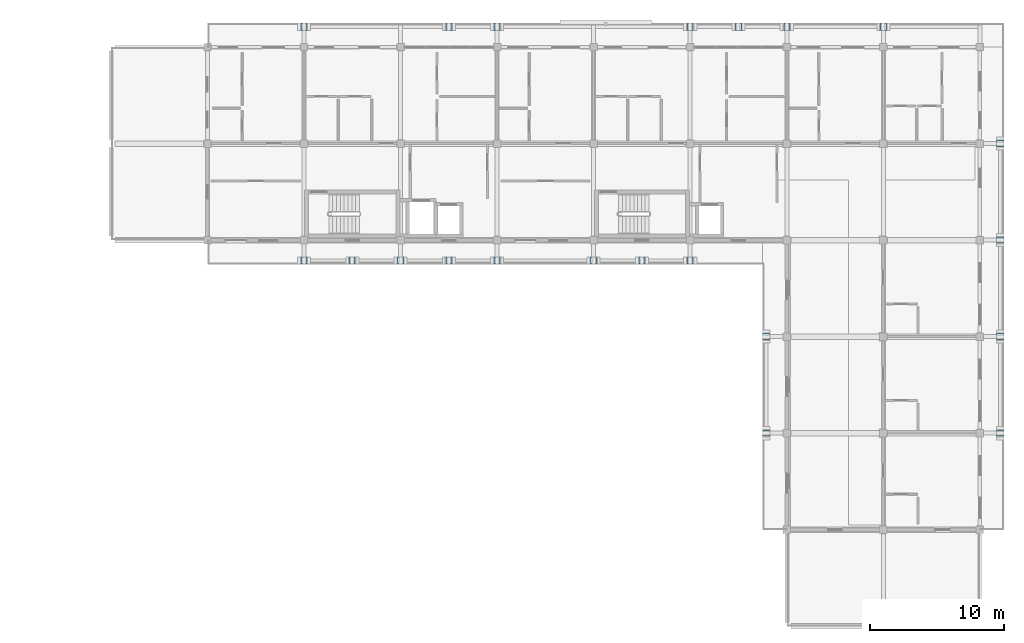
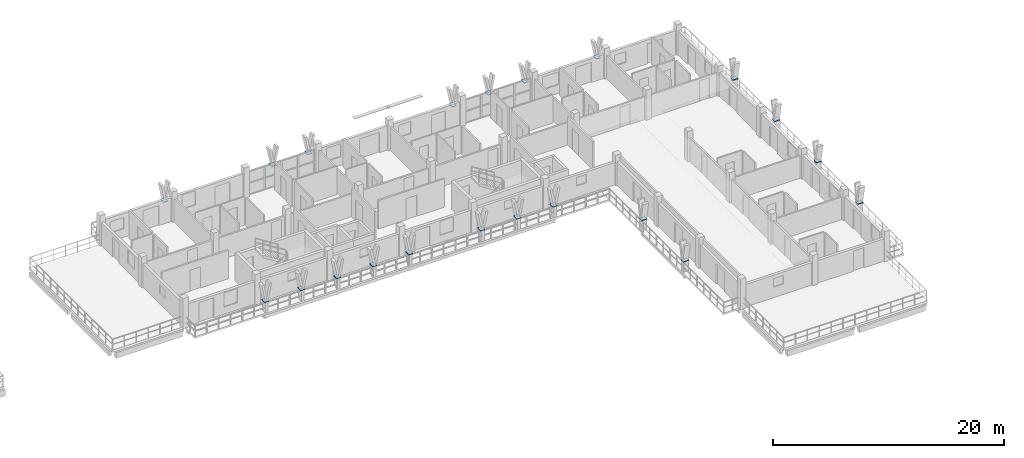
# One storey, part 33 of 73: 21 plates.
"""IFC4 building model written with IfcOpenShell, lengths in metres."""

from ifc_helpers import new_model, si_unit, direction, frame, origin, origin_2d, place, context, subcontext, project, spatial, rectangle, extrude, material, layer, layer_set, type_object, element, save


model = new_model("IFC4")

# Units and contexts
model_context = context("Model", 3, precision=1e-05, world=origin(), true_north=direction((0.0, 1.0)))
body_context = subcontext(model_context, "Body", "Model", "MODEL_VIEW")
ifc_project = project(units=[si_unit("LENGTHUNIT", "METRE"), si_unit("AREAUNIT", "SQUARE_METRE"), si_unit("VOLUMEUNIT", "CUBIC_METRE"), si_unit("PLANEANGLEUNIT", "RADIAN"), si_unit("MASSUNIT", "GRAM", prefix="KILO")], contexts=[model_context])

# Site, building, storey
site_placement = place(None, origin())
site = spatial("IfcSite", under=ifc_project, at=site_placement, CompositionType="ELEMENT")
building_placement = place(site_placement, origin())
building = spatial("IfcBuilding", under=site, at=building_placement, Name="Suanplinth Sawtooth Commons", CompositionType="ELEMENT")
storey_placement = place(building_placement, frame((0.0, 0.0, 21.89990234375)))
storey = spatial("IfcBuildingStorey", under=building, at=storey_placement, Name="L06", CompositionType="ELEMENT", Elevation=21.89990234375)

# Plates
ifc_material = material(Name="Pigmented precast concrete C40/50", Category="concrete")
ifc_layer = layer(ifc_material, 0.06005859375, Name="Precast Y-blade bifurcation node plate 60mm")
ifc_layer_set = layer_set([ifc_layer], Name="Pigmented precast concrete C40/50")
plate_type = type_object("IfcPlateType", Name="PL-04", PredefinedType="USERDEFINED", material=ifc_layer_set)
for number, where, z_axis, x_axis, name in (
    (1, (136.800048828125, 123.919921875, 1.1201171875), (0.0, 0.0, 1.0), (1.0, 0.0, 0.0), "Y-Blade Node Plate L06-B-N-01"),
    (2, (147.60009765625, 123.919921875, 1.1201171875), (0.0, 0.0, 1.0), (1.0, 0.0, 0.0), "Y-Blade Node Plate L06-B-N-02"),
    (3, (151.199951171875, 123.919921875, 1.1201171875), (0.0, 0.0, 1.0), (1.0, 0.0, 0.0), "Y-Blade Node Plate L06-B-N-03"),
    (4, (165.60009765625, 123.919921875, 1.1201171875), (0.0, 0.0, 1.0), (1.0, 0.0, 0.0), "Y-Blade Node Plate L06-B-N-04"),
    (5, (169.199951171875, 123.919921875, 1.1201171875), (0.0, 0.0, 1.0), (1.0, 0.0, 0.0), "Y-Blade Node Plate L06-B-N-05"),
    (6, (172.800048828125, 123.919921875, 1.1201171875), (0.0, 0.0, 1.0), (1.0, 0.0, 0.0), "Y-Blade Node Plate L06-B-N-06"),
    (7, (180.0, 123.919921875, 1.1201171875), (0.0, 0.0, 1.0), (1.0, 0.0, 0.0), "Y-Blade Node Plate L06-B-N-07"),
    (8, (188.719970703125, 93.60009765625, 1.1201171875), (0.0, 0.0, 1.0), (0.0, 1.0, 0.0), "Y-Blade Node Plate L06-B-E-08"),
    (9, (188.719970703125, 100.800048828125, 1.1201171875), (0.0, 0.0, 1.0), (0.0, 1.0, 0.0), "Y-Blade Node Plate L06-B-E-09"),
    (10, (188.719970703125, 108.0, 1.1201171875), (0.0, 0.0, 1.0), (0.0, 1.0, 0.0), "Y-Blade Node Plate L06-B-E-10"),
    (11, (188.719970703125, 115.199951171875, 1.1201171875), (0.0, 0.0, 1.0), (0.0, 1.0, 0.0), "Y-Blade Node Plate L06-B-E-11"),
    (12, (136.800048828125, 106.47998046875, 1.1201171875), (0.0, 0.0, 1.0), (1.0, 0.0, 0.0), "Y-Blade Node Plate L06-B-SC-12"),
    (13, (140.39990234375, 106.47998046875, 1.1201171875), (0.0, 0.0, 1.0), (1.0, 0.0, 0.0), "Y-Blade Node Plate L06-B-SC-13"),
    (14, (144.0, 106.47998046875, 1.1201171875), (0.0, 0.0, 1.0), (1.0, 0.0, 0.0), "Y-Blade Node Plate L06-B-SC-14"),
    (15, (147.60009765625, 106.47998046875, 1.1201171875), (0.0, 0.0, 1.0), (1.0, 0.0, 0.0), "Y-Blade Node Plate L06-B-SC-15"),
    (16, (151.199951171875, 106.47998046875, 1.1201171875), (0.0, 0.0, 1.0), (1.0, 0.0, 0.0), "Y-Blade Node Plate L06-B-SC-16"),
    (17, (158.39990234375, 106.47998046875, 1.1201171875), (0.0, 0.0, 1.0), (1.0, 0.0, 0.0), "Y-Blade Node Plate L06-B-SC-17"),
    (18, (162.0, 106.47998046875, 1.1201171875), (0.0, 0.0, 1.0), (1.0, 0.0, 0.0), "Y-Blade Node Plate L06-B-SC-18"),
    (19, (165.60009765625, 106.47998046875, 1.1201171875), (0.0, 0.0, 1.0), (1.0, 0.0, 0.0), "Y-Blade Node Plate L06-B-SC-19"),
    (20, (171.280029296875, 93.60009765625, 1.1201171875), (0.0, 0.0, 1.0), (0.0, 1.0, 0.0), "Y-Blade Node Plate L06-B-WC-20"),
    (21, (171.280029296875, 100.800048828125, 1.1201171875), (0.0, 0.0, 1.0), (0.0, 1.0, 0.0), "Y-Blade Node Plate L06-B-WC-21"),
):
    element("IfcPlate", number, at=place(storey_placement, frame(where, z_axis=z_axis, x_axis=x_axis)), inside=storey, type_object=plate_type, Name=name, ObjectType="GUSSET PLATE", PredefinedType="USERDEFINED", context=body_context, shape_type="SweptSolid", body=[
        extrude(rectangle(XDim=0.43994140625, YDim=0.550048828125, at=origin_2d()), origin(), (0.0, 0.0, 1.0), 0.06005859375),
    ])

save(model, "model.ifc")
